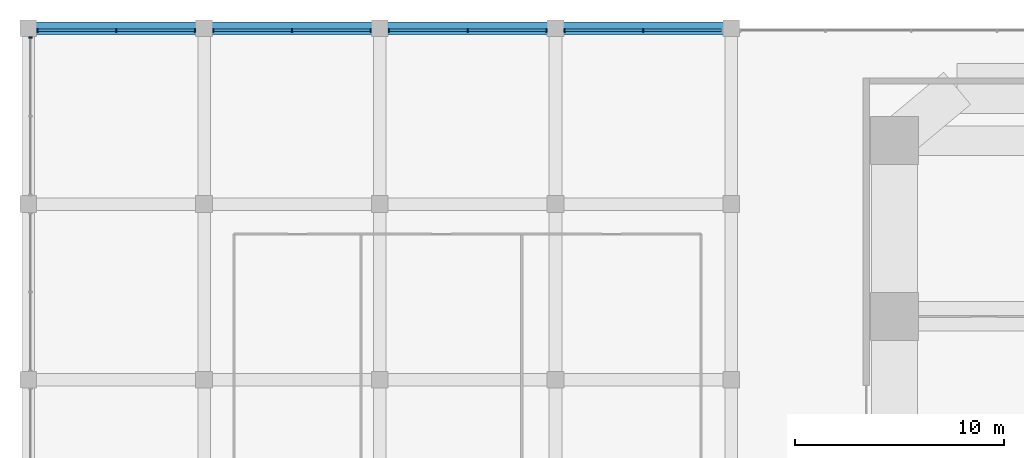
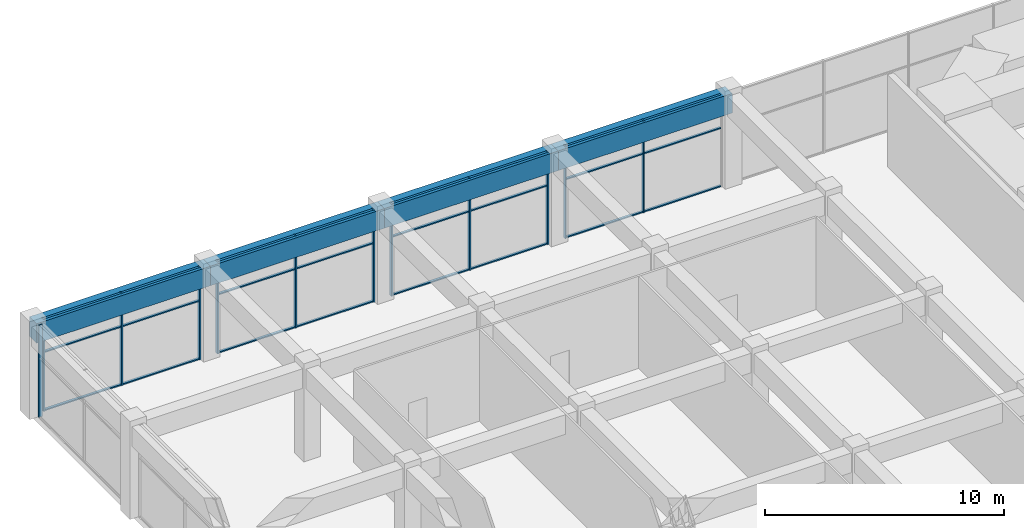
# One storey, part 19 of 34: 36 members, 4 beams, 5 elements without a shape of their own.
"""IFC4 building model written with IfcOpenShell, lengths in metres."""

from ifc_helpers import new_model, si_unit, direction, frame, origin, origin_2d, place, context, subcontext, project, spatial, rectangle, extrude, material, material_profile, profile_set, type_object, element, aggregate, save


model = new_model("IFC4")

# Units and contexts
model_context = context("Model", 3, precision=1e-05, world=origin(), true_north=direction((0.0, 1.0)))
body_context = subcontext(model_context, "Body", "Model", "MODEL_VIEW")
ifc_project = project(units=[si_unit("LENGTHUNIT", "METRE"), si_unit("AREAUNIT", "SQUARE_METRE"), si_unit("VOLUMEUNIT", "CUBIC_METRE"), si_unit("PLANEANGLEUNIT", "RADIAN"), si_unit("MASSUNIT", "GRAM", prefix="KILO")], contexts=[model_context])

# Site, building, storey
site_placement = place(None, origin())
site = spatial("IfcSite", under=ifc_project, at=site_placement, CompositionType="ELEMENT")
building_placement = place(site_placement, origin())
building = spatial("IfcBuilding", under=site, at=building_placement, Name="Impinga Residences", CompositionType="ELEMENT")
storey_placement = place(building_placement, frame((0.0, 0.0, 16.0)))
storey = spatial("IfcBuildingStorey", under=building, at=storey_placement, Name="L03", CompositionType="ELEMENT", Elevation=16.0)

# Curtain wall, member
ifc_material_1 = material(Name="Aluminium stick curtain wall", Category="aluminium")
curtain_wall_type = type_object("IfcCurtainWallType", Name="CW1 podium amenity curtain wall", PredefinedType="USERDEFINED", material=ifc_material_1)
curtain_wall_1_placement = place(storey_placement, origin())
curtain_wall_1 = element("IfcCurtainWall", 1, at=curtain_wall_1_placement, inside=storey, type_object=curtain_wall_type, Name="Curtain wall CW1 L03", ObjectType="STICK CURTAIN WALL", PredefinedType="USERDEFINED")
ifc_material_2 = material(Name="Aluminium mullion", Category="aluminium")
ifc_material_profile_1 = material_profile(ifc_material_2, rectangle(XDim=0.06005859375, YDim=0.179931640625, at=origin_2d()), Name="60x180 mullion")
ifc_profile_set_1 = profile_set([ifc_material_profile_1], Name="Aluminium mullion")
member_type_1 = type_object("IfcMemberType", Name="CW1-M mullion 60x180", PredefinedType="MULLION", material=ifc_profile_set_1)
member_1_placement = place(storey_placement, frame((-50.300048828125, 49.967041015625, 0.0), z_axis=(0.0, 0.0, 1.0), x_axis=(0.0, 1.0, 0.0)))
member_1 = element("IfcMember", 2, at=member_1_placement, type_object=member_type_1, Name="CW1 mullion 3", PredefinedType="MULLION", context=body_context, shape_type="SweptSolid", body=[
    extrude(rectangle(XDim=0.06005859375, YDim=0.179931640625, at=origin_2d()), origin(), (0.0, 0.0, 1.0), 4.699951171875),
])
aggregate(curtain_wall_1, [member_1])

# Curtain wall, members
curtain_wall_2_placement = place(storey_placement, origin())
curtain_wall_2 = element("IfcCurtainWall", 3, at=curtain_wall_2_placement, inside=storey, type_object=curtain_wall_type, Name="Curtain wall CW1 L03", ObjectType="STICK CURTAIN WALL", PredefinedType="USERDEFINED")
member_2_placement = place(storey_placement, frame((-49.967041015625, 50.300048828125, 0.0), z_axis=(0.0, 0.0, 1.0), x_axis=(1.0, 0.0, 0.0)))
member_2 = element("IfcMember", 4, at=member_2_placement, type_object=member_type_1, Name="CW1 mullion 1", PredefinedType="MULLION", context=body_context, shape_type="SweptSolid", body=[
    extrude(rectangle(XDim=0.06005859375, YDim=0.179931640625, at=origin_2d()), origin(), (0.0, 0.0, 1.0), 4.699951171875),
])
member_3_placement = place(storey_placement, frame((-46.199951171875, 50.300048828125, 0.0), z_axis=(0.0, 0.0, 1.0), x_axis=(1.0, 0.0, 0.0)))
member_3 = element("IfcMember", 5, at=member_3_placement, type_object=member_type_1, Name="CW1 mullion 2", PredefinedType="MULLION", context=body_context, shape_type="SweptSolid", body=[
    extrude(rectangle(XDim=0.06005859375, YDim=0.179931640625, at=origin_2d()), origin(), (0.0, 0.0, 1.0), 4.699951171875),
])
member_4_placement = place(storey_placement, frame((-42.43310546875, 50.300048828125, 0.0), z_axis=(0.0, 0.0, 1.0), x_axis=(1.0, 0.0, 0.0)))
member_4 = element("IfcMember", 6, at=member_4_placement, type_object=member_type_1, Name="CW1 mullion 3", PredefinedType="MULLION", context=body_context, shape_type="SweptSolid", body=[
    extrude(rectangle(XDim=0.06005859375, YDim=0.179931640625, at=origin_2d()), origin(), (0.0, 0.0, 1.0), 4.699951171875),
])

curtain_wall_3_placement = place(storey_placement, origin())
curtain_wall_3 = element("IfcCurtainWall", 7, at=curtain_wall_3_placement, inside=storey, type_object=curtain_wall_type, Name="Curtain wall CW1 L03", ObjectType="STICK CURTAIN WALL", PredefinedType="USERDEFINED")
member_5_placement = place(storey_placement, frame((-41.56689453125, 50.300048828125, 0.0), z_axis=(0.0, 0.0, 1.0), x_axis=(1.0, 0.0, 0.0)))
member_5 = element("IfcMember", 8, at=member_5_placement, type_object=member_type_1, Name="CW1 mullion 1", PredefinedType="MULLION", context=body_context, shape_type="SweptSolid", body=[
    extrude(rectangle(XDim=0.06005859375, YDim=0.179931640625, at=origin_2d()), origin(), (0.0, 0.0, 1.0), 4.699951171875),
])
member_6_placement = place(storey_placement, frame((-37.800048828125, 50.300048828125, 0.0), z_axis=(0.0, 0.0, 1.0), x_axis=(1.0, 0.0, 0.0)))
member_6 = element("IfcMember", 9, at=member_6_placement, type_object=member_type_1, Name="CW1 mullion 2", PredefinedType="MULLION", context=body_context, shape_type="SweptSolid", body=[
    extrude(rectangle(XDim=0.06005859375, YDim=0.179931640625, at=origin_2d()), origin(), (0.0, 0.0, 1.0), 4.699951171875),
])
member_7_placement = place(storey_placement, frame((-34.032958984375, 50.300048828125, 0.0), z_axis=(0.0, 0.0, 1.0), x_axis=(1.0, 0.0, 0.0)))
member_7 = element("IfcMember", 10, at=member_7_placement, type_object=member_type_1, Name="CW1 mullion 3", PredefinedType="MULLION", context=body_context, shape_type="SweptSolid", body=[
    extrude(rectangle(XDim=0.06005859375, YDim=0.179931640625, at=origin_2d()), origin(), (0.0, 0.0, 1.0), 4.699951171875),
])

curtain_wall_4_placement = place(storey_placement, origin())
curtain_wall_4 = element("IfcCurtainWall", 11, at=curtain_wall_4_placement, inside=storey, type_object=curtain_wall_type, Name="Curtain wall CW1 L03", ObjectType="STICK CURTAIN WALL", PredefinedType="USERDEFINED")
member_8_placement = place(storey_placement, frame((-33.1669921875, 50.300048828125, 0.0), z_axis=(0.0, 0.0, 1.0), x_axis=(1.0, 0.0, 0.0)))
member_8 = element("IfcMember", 12, at=member_8_placement, type_object=member_type_1, Name="CW1 mullion 1", PredefinedType="MULLION", context=body_context, shape_type="SweptSolid", body=[
    extrude(rectangle(XDim=0.06005859375, YDim=0.179931640625, at=origin_2d()), origin(), (0.0, 0.0, 1.0), 4.699951171875),
])
member_9_placement = place(storey_placement, frame((-29.39990234375, 50.300048828125, 0.0), z_axis=(0.0, 0.0, 1.0), x_axis=(1.0, 0.0, 0.0)))
member_9 = element("IfcMember", 13, at=member_9_placement, type_object=member_type_1, Name="CW1 mullion 2", PredefinedType="MULLION", context=body_context, shape_type="SweptSolid", body=[
    extrude(rectangle(XDim=0.06005859375, YDim=0.179931640625, at=origin_2d()), origin(), (0.0, 0.0, 1.0), 4.699951171875),
])
member_10_placement = place(storey_placement, frame((-25.633056640625, 50.300048828125, 0.0), z_axis=(0.0, 0.0, 1.0), x_axis=(1.0, 0.0, 0.0)))
member_10 = element("IfcMember", 14, at=member_10_placement, type_object=member_type_1, Name="CW1 mullion 3", PredefinedType="MULLION", context=body_context, shape_type="SweptSolid", body=[
    extrude(rectangle(XDim=0.06005859375, YDim=0.179931640625, at=origin_2d()), origin(), (0.0, 0.0, 1.0), 4.699951171875),
])

curtain_wall_5_placement = place(storey_placement, origin())
curtain_wall_5 = element("IfcCurtainWall", 15, at=curtain_wall_5_placement, inside=storey, type_object=curtain_wall_type, Name="Curtain wall CW1 L03", ObjectType="STICK CURTAIN WALL", PredefinedType="USERDEFINED")
member_11_placement = place(storey_placement, frame((-24.76708984375, 50.300048828125, 0.0), z_axis=(0.0, 0.0, 1.0), x_axis=(1.0, 0.0, 0.0)))
member_11 = element("IfcMember", 16, at=member_11_placement, type_object=member_type_1, Name="CW1 mullion 1", PredefinedType="MULLION", context=body_context, shape_type="SweptSolid", body=[
    extrude(rectangle(XDim=0.06005859375, YDim=0.179931640625, at=origin_2d()), origin(), (0.0, 0.0, 1.0), 4.699951171875),
])
member_12_placement = place(storey_placement, frame((-21.0, 50.300048828125, 0.0), z_axis=(0.0, 0.0, 1.0), x_axis=(1.0, 0.0, 0.0)))
member_12 = element("IfcMember", 17, at=member_12_placement, type_object=member_type_1, Name="CW1 mullion 2", PredefinedType="MULLION", context=body_context, shape_type="SweptSolid", body=[
    extrude(rectangle(XDim=0.06005859375, YDim=0.179931640625, at=origin_2d()), origin(), (0.0, 0.0, 1.0), 4.699951171875),
])

# Member
ifc_material_3 = material(Name="Aluminium transom", Category="aluminium")
ifc_material_profile_2 = material_profile(ifc_material_3, rectangle(XDim=0.06005859375, YDim=0.1201171875, at=origin_2d()), Name="60x120 transom")
ifc_profile_set_2 = profile_set([ifc_material_profile_2], Name="Aluminium transom")
member_type_2 = type_object("IfcMemberType", Name="CW1-T transom 60x120", PredefinedType="USERDEFINED", material=ifc_profile_set_2)
member_13_placement = place(storey_placement, frame((-49.93701171875, 50.300048828125, 0.030029296875), z_axis=(1.0, 0.0, 0.0), x_axis=(0.0, 0.0, 1.0)))
member_13 = element("IfcMember", 18, at=member_13_placement, type_object=member_type_2, Name="CW1 transom 1.1", ObjectType="TRANSOM", PredefinedType="USERDEFINED", context=body_context, shape_type="SweptSolid", body=[
    extrude(rectangle(XDim=0.06005859375, YDim=0.1201171875, at=origin_2d()), origin(), (0.0, 0.0, 1.0), 3.70703125),
])

member_14_placement = place(storey_placement, frame((-49.93701171875, 50.300048828125, 3.0), z_axis=(1.0, 0.0, 0.0), x_axis=(0.0, 0.0, 1.0)))
member_14 = element("IfcMember", 19, at=member_14_placement, type_object=member_type_2, Name="CW1 transom 1.2", ObjectType="TRANSOM", PredefinedType="USERDEFINED", context=body_context, shape_type="SweptSolid", body=[
    extrude(rectangle(XDim=0.06005859375, YDim=0.1201171875, at=origin_2d()), origin(), (0.0, 0.0, 1.0), 3.70703125),
])

member_15_placement = place(storey_placement, frame((-49.93701171875, 50.300048828125, 4.669921875), z_axis=(1.0, 0.0, 0.0), x_axis=(0.0, 0.0, 1.0)))
member_15 = element("IfcMember", 20, at=member_15_placement, type_object=member_type_2, Name="CW1 transom 1.3", ObjectType="TRANSOM", PredefinedType="USERDEFINED", context=body_context, shape_type="SweptSolid", body=[
    extrude(rectangle(XDim=0.06005859375, YDim=0.1201171875, at=origin_2d()), origin(), (0.0, 0.0, 1.0), 3.70703125),
])

member_16_placement = place(storey_placement, frame((-46.169921875, 50.300048828125, 0.030029296875), z_axis=(1.0, 0.0, 0.0), x_axis=(0.0, 0.0, 1.0)))
member_16 = element("IfcMember", 21, at=member_16_placement, type_object=member_type_2, Name="CW1 transom 2.1", ObjectType="TRANSOM", PredefinedType="USERDEFINED", context=body_context, shape_type="SweptSolid", body=[
    extrude(rectangle(XDim=0.06005859375, YDim=0.1201171875, at=origin_2d()), origin(), (0.0, 0.0, 1.0), 3.70703125),
])

member_17_placement = place(storey_placement, frame((-46.169921875, 50.300048828125, 3.0), z_axis=(1.0, 0.0, 0.0), x_axis=(0.0, 0.0, 1.0)))
member_17 = element("IfcMember", 22, at=member_17_placement, type_object=member_type_2, Name="CW1 transom 2.2", ObjectType="TRANSOM", PredefinedType="USERDEFINED", context=body_context, shape_type="SweptSolid", body=[
    extrude(rectangle(XDim=0.06005859375, YDim=0.1201171875, at=origin_2d()), origin(), (0.0, 0.0, 1.0), 3.70703125),
])

member_18_placement = place(storey_placement, frame((-46.169921875, 50.300048828125, 4.669921875), z_axis=(1.0, 0.0, 0.0), x_axis=(0.0, 0.0, 1.0)))
member_18 = element("IfcMember", 23, at=member_18_placement, type_object=member_type_2, Name="CW1 transom 2.3", ObjectType="TRANSOM", PredefinedType="USERDEFINED", context=body_context, shape_type="SweptSolid", body=[
    extrude(rectangle(XDim=0.06005859375, YDim=0.1201171875, at=origin_2d()), origin(), (0.0, 0.0, 1.0), 3.70703125),
])

aggregate(curtain_wall_2, [member_2, member_3, member_4, member_13, member_14, member_15, member_16, member_17, member_18])

member_19_placement = place(storey_placement, frame((-41.537109375, 50.300048828125, 0.030029296875), z_axis=(1.0, 0.0, 0.0), x_axis=(0.0, 0.0, 1.0)))
member_19 = element("IfcMember", 24, at=member_19_placement, type_object=member_type_2, Name="CW1 transom 1.1", ObjectType="TRANSOM", PredefinedType="USERDEFINED", context=body_context, shape_type="SweptSolid", body=[
    extrude(rectangle(XDim=0.06005859375, YDim=0.1201171875, at=origin_2d()), origin(), (0.0, 0.0, 1.0), 3.70703125),
])

member_20_placement = place(storey_placement, frame((-41.537109375, 50.300048828125, 3.0), z_axis=(1.0, 0.0, 0.0), x_axis=(0.0, 0.0, 1.0)))
member_20 = element("IfcMember", 25, at=member_20_placement, type_object=member_type_2, Name="CW1 transom 1.2", ObjectType="TRANSOM", PredefinedType="USERDEFINED", context=body_context, shape_type="SweptSolid", body=[
    extrude(rectangle(XDim=0.06005859375, YDim=0.1201171875, at=origin_2d()), origin(), (0.0, 0.0, 1.0), 3.70703125),
])

member_21_placement = place(storey_placement, frame((-41.537109375, 50.300048828125, 4.669921875), z_axis=(1.0, 0.0, 0.0), x_axis=(0.0, 0.0, 1.0)))
member_21 = element("IfcMember", 26, at=member_21_placement, type_object=member_type_2, Name="CW1 transom 1.3", ObjectType="TRANSOM", PredefinedType="USERDEFINED", context=body_context, shape_type="SweptSolid", body=[
    extrude(rectangle(XDim=0.06005859375, YDim=0.1201171875, at=origin_2d()), origin(), (0.0, 0.0, 1.0), 3.70703125),
])

member_22_placement = place(storey_placement, frame((-37.77001953125, 50.300048828125, 0.030029296875), z_axis=(1.0, 0.0, 0.0), x_axis=(0.0, 0.0, 1.0)))
member_22 = element("IfcMember", 27, at=member_22_placement, type_object=member_type_2, Name="CW1 transom 2.1", ObjectType="TRANSOM", PredefinedType="USERDEFINED", context=body_context, shape_type="SweptSolid", body=[
    extrude(rectangle(XDim=0.06005859375, YDim=0.1201171875, at=origin_2d()), origin(), (0.0, 0.0, 1.0), 3.70703125),
])

member_23_placement = place(storey_placement, frame((-37.77001953125, 50.300048828125, 3.0), z_axis=(1.0, 0.0, 0.0), x_axis=(0.0, 0.0, 1.0)))
member_23 = element("IfcMember", 28, at=member_23_placement, type_object=member_type_2, Name="CW1 transom 2.2", ObjectType="TRANSOM", PredefinedType="USERDEFINED", context=body_context, shape_type="SweptSolid", body=[
    extrude(rectangle(XDim=0.06005859375, YDim=0.1201171875, at=origin_2d()), origin(), (0.0, 0.0, 1.0), 3.70703125),
])

member_24_placement = place(storey_placement, frame((-37.77001953125, 50.300048828125, 4.669921875), z_axis=(1.0, 0.0, 0.0), x_axis=(0.0, 0.0, 1.0)))
member_24 = element("IfcMember", 29, at=member_24_placement, type_object=member_type_2, Name="CW1 transom 2.3", ObjectType="TRANSOM", PredefinedType="USERDEFINED", context=body_context, shape_type="SweptSolid", body=[
    extrude(rectangle(XDim=0.06005859375, YDim=0.1201171875, at=origin_2d()), origin(), (0.0, 0.0, 1.0), 3.70703125),
])

aggregate(curtain_wall_3, [member_5, member_6, member_7, member_19, member_20, member_21, member_22, member_23, member_24])

member_25_placement = place(storey_placement, frame((-33.136962890625, 50.300048828125, 0.030029296875), z_axis=(1.0, 0.0, 0.0), x_axis=(0.0, 0.0, 1.0)))
member_25 = element("IfcMember", 30, at=member_25_placement, type_object=member_type_2, Name="CW1 transom 1.1", ObjectType="TRANSOM", PredefinedType="USERDEFINED", context=body_context, shape_type="SweptSolid", body=[
    extrude(rectangle(XDim=0.06005859375, YDim=0.1201171875, at=origin_2d()), origin(), (0.0, 0.0, 1.0), 3.70703125),
])

member_26_placement = place(storey_placement, frame((-33.136962890625, 50.300048828125, 3.0), z_axis=(1.0, 0.0, 0.0), x_axis=(0.0, 0.0, 1.0)))
member_26 = element("IfcMember", 31, at=member_26_placement, type_object=member_type_2, Name="CW1 transom 1.2", ObjectType="TRANSOM", PredefinedType="USERDEFINED", context=body_context, shape_type="SweptSolid", body=[
    extrude(rectangle(XDim=0.06005859375, YDim=0.1201171875, at=origin_2d()), origin(), (0.0, 0.0, 1.0), 3.70703125),
])

member_27_placement = place(storey_placement, frame((-33.136962890625, 50.300048828125, 4.669921875), z_axis=(1.0, 0.0, 0.0), x_axis=(0.0, 0.0, 1.0)))
member_27 = element("IfcMember", 32, at=member_27_placement, type_object=member_type_2, Name="CW1 transom 1.3", ObjectType="TRANSOM", PredefinedType="USERDEFINED", context=body_context, shape_type="SweptSolid", body=[
    extrude(rectangle(XDim=0.06005859375, YDim=0.1201171875, at=origin_2d()), origin(), (0.0, 0.0, 1.0), 3.70703125),
])

member_28_placement = place(storey_placement, frame((-29.3701171875, 50.300048828125, 0.030029296875), z_axis=(1.0, 0.0, 0.0), x_axis=(0.0, 0.0, 1.0)))
member_28 = element("IfcMember", 33, at=member_28_placement, type_object=member_type_2, Name="CW1 transom 2.1", ObjectType="TRANSOM", PredefinedType="USERDEFINED", context=body_context, shape_type="SweptSolid", body=[
    extrude(rectangle(XDim=0.06005859375, YDim=0.1201171875, at=origin_2d()), origin(), (0.0, 0.0, 1.0), 3.70703125),
])

member_29_placement = place(storey_placement, frame((-29.3701171875, 50.300048828125, 3.0), z_axis=(1.0, 0.0, 0.0), x_axis=(0.0, 0.0, 1.0)))
member_29 = element("IfcMember", 34, at=member_29_placement, type_object=member_type_2, Name="CW1 transom 2.2", ObjectType="TRANSOM", PredefinedType="USERDEFINED", context=body_context, shape_type="SweptSolid", body=[
    extrude(rectangle(XDim=0.06005859375, YDim=0.1201171875, at=origin_2d()), origin(), (0.0, 0.0, 1.0), 3.70703125),
])

member_30_placement = place(storey_placement, frame((-29.3701171875, 50.300048828125, 4.669921875), z_axis=(1.0, 0.0, 0.0), x_axis=(0.0, 0.0, 1.0)))
member_30 = element("IfcMember", 35, at=member_30_placement, type_object=member_type_2, Name="CW1 transom 2.3", ObjectType="TRANSOM", PredefinedType="USERDEFINED", context=body_context, shape_type="SweptSolid", body=[
    extrude(rectangle(XDim=0.06005859375, YDim=0.1201171875, at=origin_2d()), origin(), (0.0, 0.0, 1.0), 3.70703125),
])

aggregate(curtain_wall_4, [member_8, member_9, member_10, member_25, member_26, member_27, member_28, member_29, member_30])

member_31_placement = place(storey_placement, frame((-24.737060546875, 50.300048828125, 0.030029296875), z_axis=(1.0, 0.0, 0.0), x_axis=(0.0, 0.0, 1.0)))
member_31 = element("IfcMember", 36, at=member_31_placement, type_object=member_type_2, Name="CW1 transom 1.1", ObjectType="TRANSOM", PredefinedType="USERDEFINED", context=body_context, shape_type="SweptSolid", body=[
    extrude(rectangle(XDim=0.06005859375, YDim=0.1201171875, at=origin_2d()), origin(), (0.0, 0.0, 1.0), 3.70703125),
])

member_32_placement = place(storey_placement, frame((-24.737060546875, 50.300048828125, 3.0), z_axis=(1.0, 0.0, 0.0), x_axis=(0.0, 0.0, 1.0)))
member_32 = element("IfcMember", 37, at=member_32_placement, type_object=member_type_2, Name="CW1 transom 1.2", ObjectType="TRANSOM", PredefinedType="USERDEFINED", context=body_context, shape_type="SweptSolid", body=[
    extrude(rectangle(XDim=0.06005859375, YDim=0.1201171875, at=origin_2d()), origin(), (0.0, 0.0, 1.0), 3.70703125),
])

member_33_placement = place(storey_placement, frame((-24.737060546875, 50.300048828125, 4.669921875), z_axis=(1.0, 0.0, 0.0), x_axis=(0.0, 0.0, 1.0)))
member_33 = element("IfcMember", 38, at=member_33_placement, type_object=member_type_2, Name="CW1 transom 1.3", ObjectType="TRANSOM", PredefinedType="USERDEFINED", context=body_context, shape_type="SweptSolid", body=[
    extrude(rectangle(XDim=0.06005859375, YDim=0.1201171875, at=origin_2d()), origin(), (0.0, 0.0, 1.0), 3.70703125),
])

member_34_placement = place(storey_placement, frame((-20.969970703125, 50.300048828125, 0.030029296875), z_axis=(1.0, 0.0, 0.0), x_axis=(0.0, 0.0, 1.0)))
member_34 = element("IfcMember", 39, at=member_34_placement, type_object=member_type_2, Name="CW1 transom 2.1", ObjectType="TRANSOM", PredefinedType="USERDEFINED", context=body_context, shape_type="SweptSolid", body=[
    extrude(rectangle(XDim=0.06005859375, YDim=0.1201171875, at=origin_2d()), origin(), (0.0, 0.0, 1.0), 3.70703125),
])

member_35_placement = place(storey_placement, frame((-20.969970703125, 50.300048828125, 3.0), z_axis=(1.0, 0.0, 0.0), x_axis=(0.0, 0.0, 1.0)))
member_35 = element("IfcMember", 40, at=member_35_placement, type_object=member_type_2, Name="CW1 transom 2.2", ObjectType="TRANSOM", PredefinedType="USERDEFINED", context=body_context, shape_type="SweptSolid", body=[
    extrude(rectangle(XDim=0.06005859375, YDim=0.1201171875, at=origin_2d()), origin(), (0.0, 0.0, 1.0), 3.70703125),
])

member_36_placement = place(storey_placement, frame((-20.969970703125, 50.300048828125, 4.669921875), z_axis=(1.0, 0.0, 0.0), x_axis=(0.0, 0.0, 1.0)))
member_36 = element("IfcMember", 41, at=member_36_placement, type_object=member_type_2, Name="CW1 transom 2.3", ObjectType="TRANSOM", PredefinedType="USERDEFINED", context=body_context, shape_type="SweptSolid", body=[
    extrude(rectangle(XDim=0.06005859375, YDim=0.1201171875, at=origin_2d()), origin(), (0.0, 0.0, 1.0), 3.70703125),
])

aggregate(curtain_wall_5, [member_11, member_12, member_31, member_32, member_33, member_34, member_35, member_36])

# Beams
ifc_material_4 = material(Name="Concrete C60/75", Category="concrete")
ifc_material_profile_3 = material_profile(ifc_material_4, rectangle(XDim=0.60009765625, YDim=1.0, at=origin_2d()), Name="RC 600x1000")
ifc_profile_set_3 = profile_set([ifc_material_profile_3], Name="Concrete C60/75")
beam_type = type_object("IfcBeamType", Name="PB2 600x1000 podium beam", PredefinedType="BEAM", material=ifc_profile_set_3)
for number, where, z_axis, x_axis, name in (
    (42, (-50.39990234375, 50.39990234375, 4.199951171875), (1.0, 0.0, 0.0), (0.0, 1.0, 0.0), "Beam PB2 M/1-2 level L04"),
    (43, (-42.0, 50.39990234375, 4.199951171875), (1.0, 0.0, 0.0), (0.0, 1.0, 0.0), "Beam PB2 M/2-3 level L04"),
):
    element("IfcBeam", number, at=place(storey_placement, frame(where, z_axis=z_axis, x_axis=x_axis)), inside=storey, type_object=beam_type, Name=name, PredefinedType="BEAM", context=body_context, shape_type="SweptSolid", body=[
        extrude(rectangle(XDim=0.60009765625, YDim=1.0, at=origin_2d()), origin(), (0.0, 0.0, 1.0), 8.39990234375),
    ])
beam_1_placement = place(storey_placement, frame((-33.60009765625, 50.39990234375, 4.199951171875), z_axis=(1.0, 0.0, 0.0), x_axis=(0.0, 1.0, 0.0)))
element("IfcBeam", 44, at=beam_1_placement, inside=storey, type_object=beam_type, Name="Beam PB2 M/3-4 level L04", PredefinedType="BEAM", context=body_context, shape_type="SweptSolid", body=[
    extrude(rectangle(XDim=0.60009765625, YDim=1.0, at=origin_2d()), origin(), (0.0, 0.0, 1.0), 8.400146484375),
])
beam_2_placement = place(storey_placement, frame((-25.199951171875, 50.39990234375, 4.199951171875), z_axis=(1.0, 0.0, 0.0), x_axis=(0.0, 1.0, 0.0)))
element("IfcBeam", 45, at=beam_2_placement, inside=storey, type_object=beam_type, Name="Beam PB2 M/4-5 level L04", PredefinedType="BEAM", context=body_context, shape_type="SweptSolid", body=[
    extrude(rectangle(XDim=0.60009765625, YDim=1.0, at=origin_2d()), origin(), (0.0, 0.0, 1.0), 8.39990234375),
])

save(model, "model.ifc")
